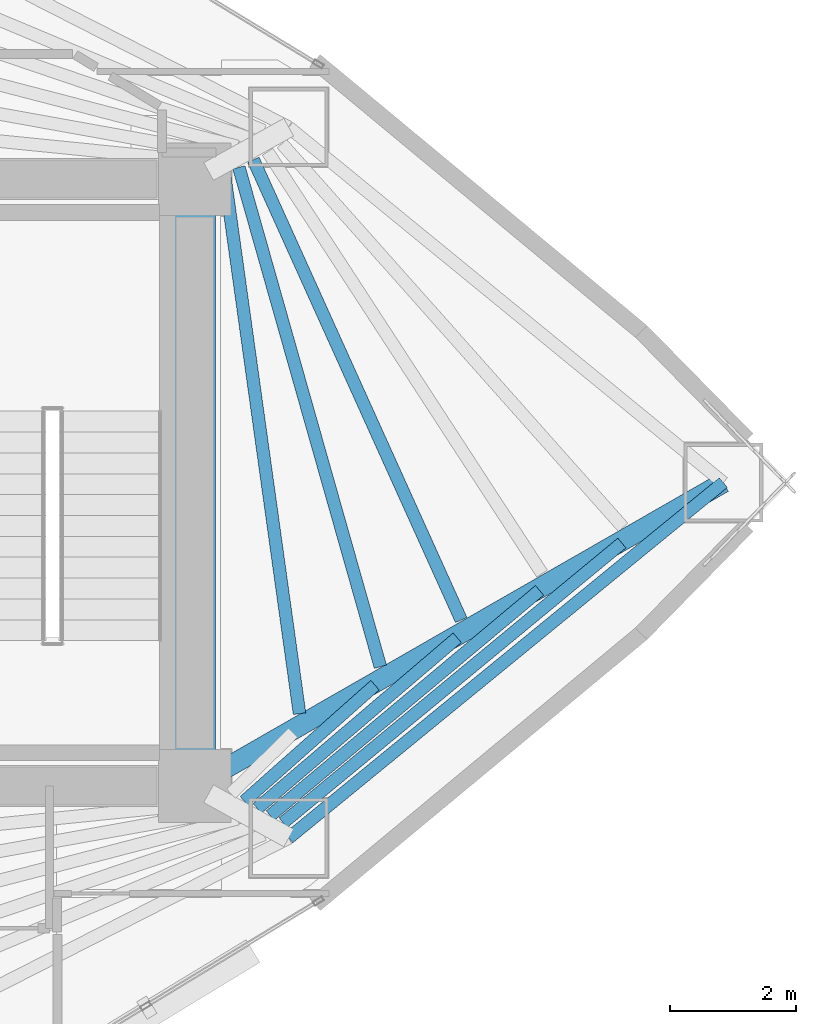
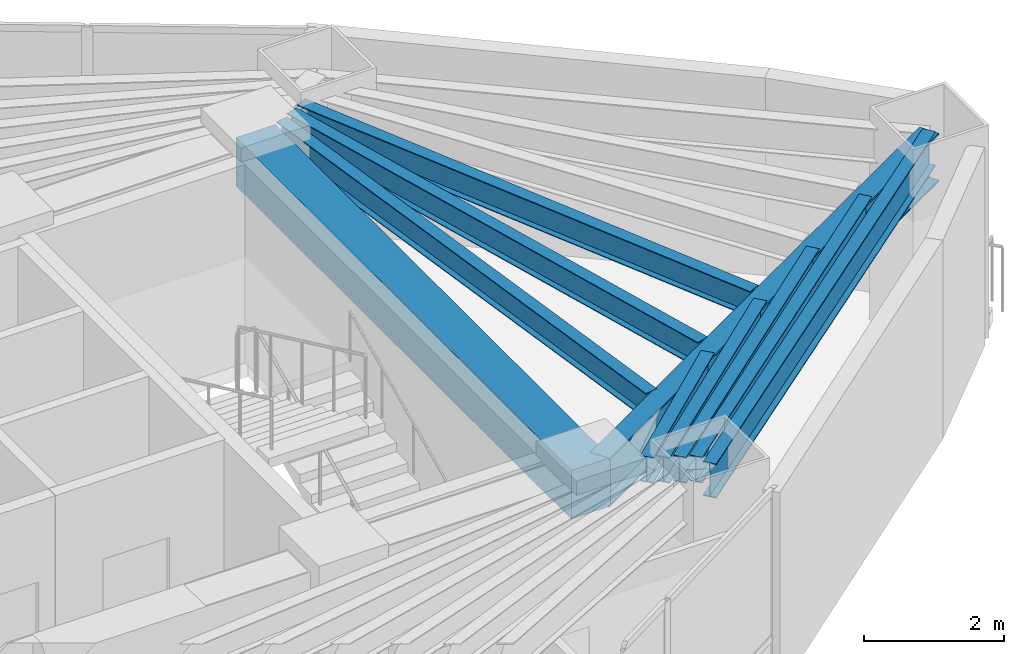
# One storey, part 6 of 16: 10 beams.
"""IFC4 building model written with IfcOpenShell, lengths in metres."""

from ifc_helpers import new_model, si_unit, direction, frame, origin, origin_2d, place, context, subcontext, project, spatial, rectangle, i_section, extrude, material, material_profile, profile_set, type_object, element, save


model = new_model("IFC4")

# Units and contexts
model_context = context("Model", 3, precision=1e-05, world=origin(), true_north=direction((0.0, 1.0)))
body_context = subcontext(model_context, "Body", "Model", "MODEL_VIEW")
ifc_project = project(units=[si_unit("LENGTHUNIT", "METRE"), si_unit("AREAUNIT", "SQUARE_METRE"), si_unit("VOLUMEUNIT", "CUBIC_METRE"), si_unit("PLANEANGLEUNIT", "RADIAN"), si_unit("MASSUNIT", "GRAM", prefix="KILO")], contexts=[model_context])

# Site, building, storey
site_placement = place(None, origin())
site = spatial("IfcSite", under=ifc_project, at=site_placement, CompositionType="ELEMENT")
building_placement = place(site_placement, origin())
building = spatial("IfcBuilding", under=site, at=building_placement, Name="Menara Vayukalpa", CompositionType="ELEMENT")
storey_placement = place(building_placement, frame((0.0, 0.0, 75.9599609375)))
storey = spatial("IfcBuildingStorey", under=building, at=storey_placement, Name="L18", CompositionType="ELEMENT", Elevation=75.9599609375)

# Beams
ifc_material_1 = material(Name="Concrete C60/75", Category="concrete")
ifc_material_profile_1 = material_profile(ifc_material_1, rectangle(XDim=0.64990234375, YDim=0.85009765625, at=origin_2d()), Name="RC 650x850")
ifc_profile_set_1 = profile_set([ifc_material_profile_1], Name="Concrete C60/75")
beam_type_1 = type_object("IfcBeamType", Name="BM-CB1", PredefinedType="BEAM", material=ifc_profile_set_1)
beam_1_placement = place(storey_placement, frame((33.39990234375, 17.199951171875, 3.044921875), z_axis=(0.0, 1.0, 0.0), x_axis=(-1.0, 0.0, 0.0)))
element("IfcBeam", 1, at=beam_1_placement, inside=storey, type_object=beam_type_1, Name="L18 Core Tie Beam CBR8", PredefinedType="BEAM", context=body_context, shape_type="SweptSolid", body=[
    extrude(rectangle(XDim=0.64990234375, YDim=0.85009765625, at=origin_2d()), origin(), (0.0, 0.0, 1.0), 9.60009765625),
])
ifc_material_2 = material(Name="Steel S355", Category="steel")
ifc_material_profile_2 = material_profile(ifc_material_2, i_section(OverallWidth=0.320068359375, OverallDepth=0.85009765625, WebThickness=0.01611328125, FlangeThickness=0.030029296875, at=origin_2d()), Name="WF 850x320x16x30")
ifc_profile_set_2 = profile_set([ifc_material_profile_2], Name="Steel S355")
beam_type_2 = type_object("IfcBeamType", Name="BM-PG2", PredefinedType="BEAM", material=ifc_profile_set_2)
beam_2_placement = place(storey_placement, frame((33.61669921875, 17.324462890625, 3.044921875), z_axis=(0.867273673572, 0.497831673488, 0.0), x_axis=(-0.497831673488, 0.867273673572, 0.0)))
element("IfcBeam", 2, at=beam_2_placement, inside=storey, type_object=beam_type_2, Name="L18 Primary Radial Girder RG01", PredefinedType="BEAM", context=body_context, shape_type="SweptSolid", body=[
    extrude(i_section(OverallWidth=0.320068359375, OverallDepth=0.85009765625, WebThickness=0.01611328125, FlangeThickness=0.030029296875, at=origin_2d()), origin(), (0.0, 0.0, 1.0), 9.391845703125),
])
ifc_material_3 = material(Name="Steel S355", Category="steel")
ifc_material_profile_3 = material_profile(ifc_material_3, i_section(OverallWidth=0.199951171875, OverallDepth=0.449951171875, WebThickness=0.009033203125, FlangeThickness=0.013916015625, at=origin_2d()), Name="WF 450x200x9x14")
ifc_profile_set_3 = profile_set([ifc_material_profile_3], Name="Steel S355")
beam_type_3 = type_object("IfcBeamType", Name="BM-SJ1", PredefinedType="JOIST", material=ifc_profile_set_3)
beam_3_placement = place(storey_placement, frame((35.05810546875, 18.344482421875, 3.2451171875), z_axis=(-0.137834297044, 0.990455302655, 0.0), x_axis=(-0.990455302655, -0.137834297044, 0.0)))
element("IfcBeam", 3, at=beam_3_placement, inside=storey, type_object=beam_type_3, Name="L18 Secondary Floor Joist SJ01-1", PredefinedType="JOIST", context=body_context, shape_type="SweptSolid", body=[
    extrude(i_section(OverallWidth=0.199951171875, OverallDepth=0.449951171875, WebThickness=0.009033203125, FlangeThickness=0.013916015625, at=origin_2d()), origin(), (0.0, 0.0, 1.0), 8.6064453125),
])
beam_4_placement = place(storey_placement, frame((36.337158203125, 19.08740234375, 3.2451171875), z_axis=(-0.272611289775, 0.962124256366, 0.0), x_axis=(-0.962124256366, -0.272611289775, 0.0)))
element("IfcBeam", 4, at=beam_4_placement, inside=storey, type_object=beam_type_3, Name="L18 Secondary Floor Joist SJ01-2", PredefinedType="JOIST", context=body_context, shape_type="SweptSolid", body=[
    extrude(i_section(OverallWidth=0.199951171875, OverallDepth=0.449951171875, WebThickness=0.009033203125, FlangeThickness=0.013916015625, at=origin_2d()), origin(), (0.0, 0.0, 1.0), 8.209716796875),
])
beam_5_placement = place(storey_placement, frame((37.615234375, 19.826416015625, 3.2451171875), z_axis=(-0.411600641696, 0.911364313409, 0.0), x_axis=(-0.911364313409, -0.411600641696, 0.0)))
element("IfcBeam", 5, at=beam_5_placement, inside=storey, type_object=beam_type_3, Name="L18 Secondary Floor Joist SJ01-3", PredefinedType="JOIST", context=body_context, shape_type="SweptSolid", body=[
    extrude(i_section(OverallWidth=0.199951171875, OverallDepth=0.449951171875, WebThickness=0.009033203125, FlangeThickness=0.013916015625, at=origin_2d()), origin(), (0.0, 0.0, 1.0), 7.989013671875),
])
beam_6_placement = place(storey_placement, frame((34.1845703125, 16.960205078125, 3.2451171875), z_axis=(0.74790626356, 0.663804354405, 0.0), x_axis=(-0.663804354405, 0.74790626356, 0.0)))
element("IfcBeam", 6, at=beam_6_placement, inside=storey, type_object=beam_type_3, Name="L18 Secondary Floor Joist SJ09-2", PredefinedType="JOIST", context=body_context, shape_type="SweptSolid", body=[
    extrude(i_section(OverallWidth=0.199951171875, OverallDepth=0.449951171875, WebThickness=0.009033203125, FlangeThickness=0.013916015625, at=origin_2d()), origin(), (0.0, 0.0, 1.0), 2.763671875),
])
beam_7_placement = place(storey_placement, frame((34.3896484375, 16.845703125, 3.2451171875), z_axis=(0.76059773561, 0.649223447347, 0.0), x_axis=(-0.649223447347, 0.76059773561, 0.0)))
element("IfcBeam", 7, at=beam_7_placement, inside=storey, type_object=beam_type_3, Name="L18 Secondary Floor Joist SJ09-3", PredefinedType="JOIST", context=body_context, shape_type="SweptSolid", body=[
    extrude(i_section(OverallWidth=0.199951171875, OverallDepth=0.449951171875, WebThickness=0.009033203125, FlangeThickness=0.013916015625, at=origin_2d()), origin(), (0.0, 0.0, 1.0), 4.158447265625),
])
beam_8_placement = place(storey_placement, frame((34.59375, 16.73193359375, 3.2451171875), z_axis=(0.767124851395, 0.641497827255, 0.0), x_axis=(-0.641497827255, 0.767124851395, 0.0)))
element("IfcBeam", 8, at=beam_8_placement, inside=storey, type_object=beam_type_3, Name="L18 Secondary Floor Joist SJ09-4", PredefinedType="JOIST", context=body_context, shape_type="SweptSolid", body=[
    extrude(i_section(OverallWidth=0.199951171875, OverallDepth=0.449951171875, WebThickness=0.009033203125, FlangeThickness=0.013916015625, at=origin_2d()), origin(), (0.0, 0.0, 1.0), 5.55419921875),
])
beam_9_placement = place(storey_placement, frame((34.79736328125, 16.618896484375, 3.2451171875), z_axis=(0.771152944406, 0.636649932329, 0.0), x_axis=(-0.636649932329, 0.771152944406, 0.0)))
element("IfcBeam", 9, at=beam_9_placement, inside=storey, type_object=beam_type_3, Name="L18 Secondary Floor Joist SJ09-5", PredefinedType="JOIST", context=body_context, shape_type="SweptSolid", body=[
    extrude(i_section(OverallWidth=0.199951171875, OverallDepth=0.449951171875, WebThickness=0.009033203125, FlangeThickness=0.013916015625, at=origin_2d()), origin(), (0.0, 0.0, 1.0), 6.9501953125),
])
ifc_material_4 = material(Name="Steel S355", Category="steel")
ifc_material_profile_4 = material_profile(ifc_material_4, i_section(OverallWidth=0.199951171875, OverallDepth=0.60009765625, WebThickness=0.010986328125, FlangeThickness=0.01708984375, at=origin_2d()), Name="WF 600x200x11x17")
ifc_profile_set_4 = profile_set([ifc_material_profile_4], Name="Steel S355")
beam_type_4 = type_object("IfcBeamType", Name="BM-SP1", PredefinedType="SPANDREL", material=ifc_profile_set_4)
beam_10_placement = place(storey_placement, frame((34.88671875, 16.37841796875, 3.169921875), z_axis=(0.774156906301, 0.632993747541, 0.0), x_axis=(-0.632993747541, 0.774156906301, 0.0)))
element("IfcBeam", 10, at=beam_10_placement, inside=storey, type_object=beam_type_4, Name="L18 Perimeter Spandrel Beam SP09", PredefinedType="SPANDREL", context=body_context, shape_type="SweptSolid", body=[
    extrude(i_section(OverallWidth=0.199951171875, OverallDepth=0.60009765625, WebThickness=0.010986328125, FlangeThickness=0.01708984375, at=origin_2d()), origin(), (0.0, 0.0, 1.0), 8.880859375),
])

save(model, "model.ifc")
